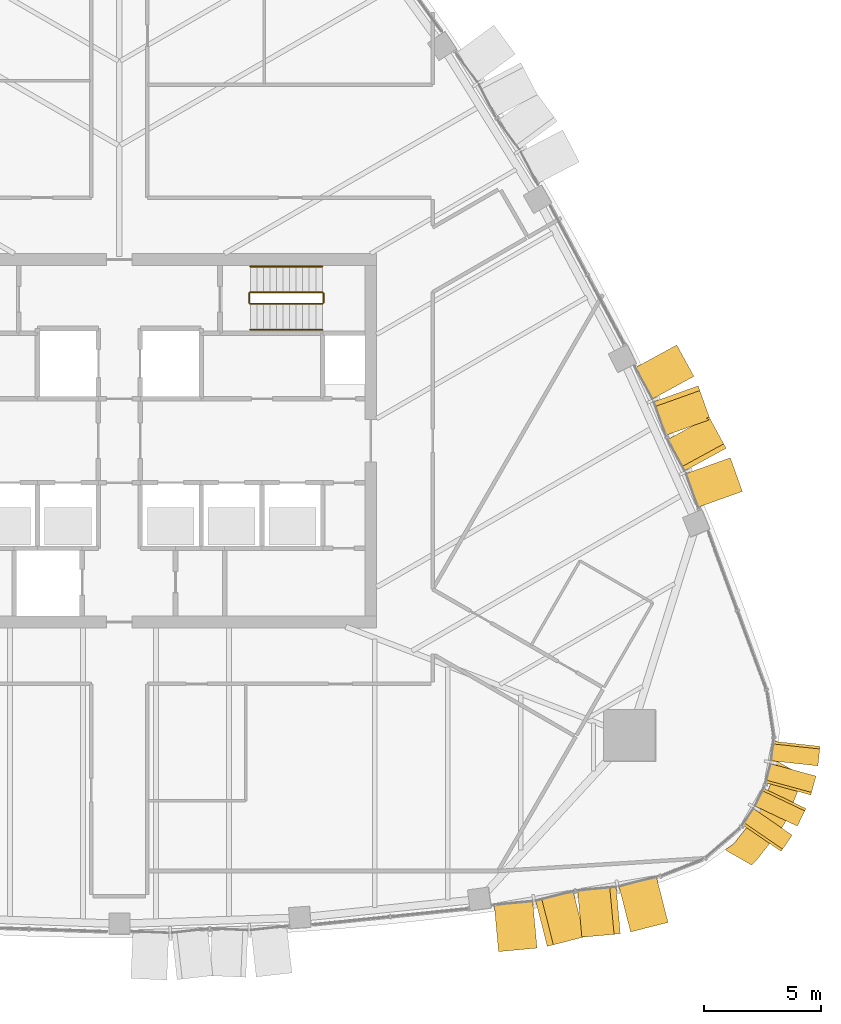
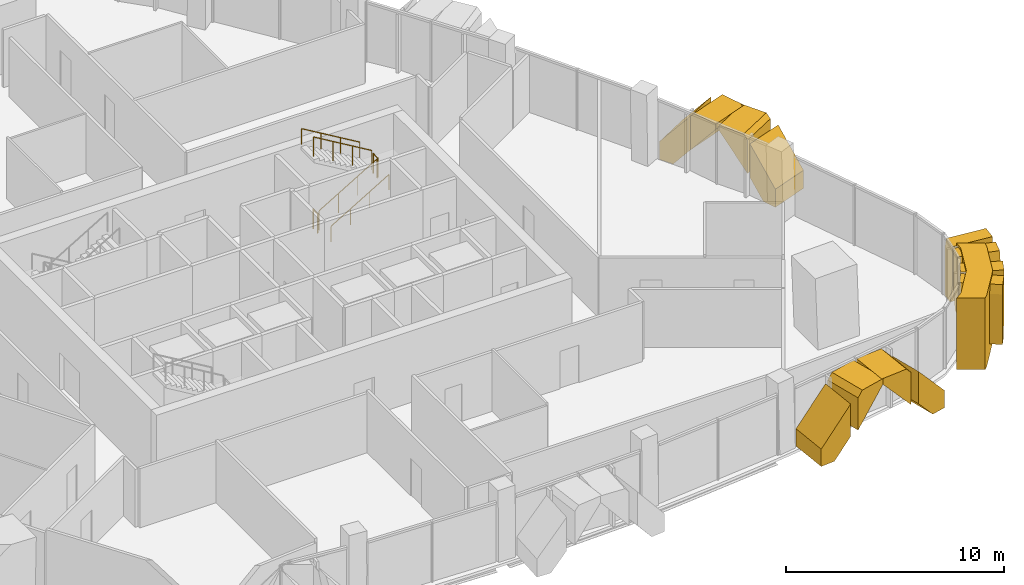
# One storey, part 16 of 18: 13 coverings, 6 railings.
"""IFC4 building model written with IfcOpenShell, lengths in metres."""

from ifc_helpers import new_model, si_unit, direction, frame, origin, origin_2d, place, context, subcontext, project, spatial, polyline, circle, outline, extrude, material, layer, layer_set, type_object, element, save


model = new_model("IFC4")

# Units and contexts
model_context = context("Model", 3, precision=1e-05, world=origin(), true_north=direction((0.0, 1.0)))
body_context = subcontext(model_context, "Body", "Model", "MODEL_VIEW")
ifc_project = project(units=[si_unit("LENGTHUNIT", "METRE"), si_unit("AREAUNIT", "SQUARE_METRE"), si_unit("VOLUMEUNIT", "CUBIC_METRE"), si_unit("PLANEANGLEUNIT", "RADIAN"), si_unit("MASSUNIT", "GRAM", prefix="KILO")], contexts=[model_context])

# Site, building, storey
site_placement = place(None, origin())
site = spatial("IfcSite", under=ifc_project, at=site_placement, CompositionType="ELEMENT")
building_placement = place(site_placement, origin())
building = spatial("IfcBuilding", under=site, at=building_placement, Name="Sierra Prisma Convention Tower", CompositionType="ELEMENT")
storey_placement = place(building_placement, frame((0.0, 0.0, 247.0)))
storey = spatial("IfcBuildingStorey", under=building, at=storey_placement, Name="L55", CompositionType="ELEMENT", Elevation=247.0)

# Coverings
ifc_material_1 = material(Name="Aluminium composite bronze anodised", Category="aluminium")
ifc_layer_1 = layer(ifc_material_1, 1.199951171875)
ifc_layer_set_1 = layer_set([ifc_layer_1], Name="Bronze corner pier")
covering_type_1 = type_object("IfcCoveringType", Name="Bronze corner pier", PredefinedType="CLADDING", material=ifc_layer_set_1)
covering_1_placement = place(storey_placement, frame((0.0, 0.0, -0.60009765625)))
element("IfcCovering", 1, at=covering_1_placement, inside=storey, type_object=covering_type_1, Name="Corner pier SE L55.1", PredefinedType="CLADDING", context=body_context, shape_type="SweptSolid", body=[
    extrude(outline(polyline([(29.17138671875, -14.6005859375), (28.501708984375, -16.26171875), (28.333740234375, -16.552490234375), (27.230224609375, -17.962646484375), (27.0361328125, -18.149658203125), (25.90625, -17.497314453125), (26.28515625, -17.22314453125), (27.388671875, -15.81298828125), (28.058349609375, -14.152099609375), (28.106201171875, -13.686767578125), (29.236083984375, -14.339111328125), (29.17138671875, -14.6005859375)])), origin(), (0.0, 0.0, 1.0), 4.0),
])
ifc_material_2 = material(Name="Aluminium 6063-T6 bronze anodised", Category="aluminium")
ifc_layer_2 = layer(ifc_material_2, 2.0)
ifc_layer_set_2 = layer_set([ifc_layer_2], Name="Bronze crystal chevron frame")
covering_type_2 = type_object("IfcCoveringType", Name="Bronze crystal chevron frame", PredefinedType="CLADDING", material=ifc_layer_set_2)
covering_2_placement = place(storey_placement, frame((16.21533203125, -21.849609375, 0.0), z_axis=(0.092162979739, -0.995743934365, -4.8383481e-05), x_axis=(0.99574393553, 0.092162979848, -8.748e-09)))
element("IfcCovering", 2, at=covering_2_placement, inside=storey, type_object=covering_type_2, Name="CW-2 chevron frame S6.1.1", PredefinedType="CLADDING", context=body_context, shape_type="SweptSolid", body=[
    extrude(outline(polyline([(0.0, 0.0), (0.7429203911119021, 0.0), (1.6535172763552863, 1.023925796914123), (1.6535172605564712, 2.829833997925342), (-8.489967567834006e-09, 0.9704589832390965), (0.0, 0.0)])), origin(), (0.0, 0.0, -1.0), 2.0),
])
covering_3_placement = place(storey_placement, frame((18.298828125, -21.621826171875, 2.97607421875), z_axis=(0.246864242924, -0.969050071596, 6.5617187e-05), x_axis=(1.6198537e-05, -6.3586339e-05, -0.999999997847)))
element("IfcCovering", 3, at=covering_3_placement, inside=storey, type_object=covering_type_2, Name="CW-2 chevron frame S6.1.2", PredefinedType="CLADDING", context=body_context, shape_type="SweptSolid", body=[
    extrude(outline(polyline([(0.0, 0.0), (1.805908199237227, 0.0), (-0.05346679806860987, 1.6534747677326036), (-0.3039550787793568, 1.6534747677326036), (-0.3039550876334087, 0.27036902631045484), (0.0, 0.0)])), origin(), (0.0, 0.0, -1.0), 2.0),
])
covering_4_placement = place(storey_placement, frame((19.77880859375, -21.23486328125, 3.280029296875), z_axis=(0.092134242811, -0.995746594905, 5.990602e-06), x_axis=(5.5194e-07, -5.965122e-06, -0.999999999982)))
element("IfcCovering", 4, at=covering_4_placement, inside=storey, type_object=covering_type_2, Name="CW-2 chevron frame S6.2.1", PredefinedType="CLADDING", context=body_context, shape_type="SweptSolid", body=[
    extrude(outline(polyline([(0.0, 0.0), (0.2504882812455053, -2.652147838998145e-23), (2.1098632812230496, 1.6535172860541516), (0.303955078130454, 1.6535172860541516), (-7.37985443245871e-11, 1.3830812052515915), (0.0, 0.0)])), origin(), (0.0, 0.0, -1.0), 2.0),
])
covering_5_placement = place(storey_placement, frame((23.464599609375, -20.598876953125, 0.0), z_axis=(0.246863132638, -0.969050356426, -2.1329623e-05), x_axis=(5.265498e-06, -2.0669479e-05, 0.999999999773)))
element("IfcCovering", 5, at=covering_5_placement, inside=storey, type_object=covering_type_2, Name="CW-2 chevron frame S6.2.2", PredefinedType="CLADDING", context=body_context, shape_type="SweptSolid", body=[
    extrude(outline(polyline([(0.0, 0.0), (0.9704589841542435, 0.0), (2.829833984197118, 1.6534747677086563), (1.023925781482919, 1.6534747677086563), (-1.2631160900255469e-09, 0.7429501255867704), (0.0, 0.0)])), origin(), (0.0, 0.0, -1.0), 2.0),
])
covering_6_placement = place(storey_placement, frame((28.298583984375, -17.56005859375, 0.0), z_axis=(0.824189527012, -0.56631406784, -1.1407807e-05), x_axis=(0.566314067877, 0.824189527065, -1.919e-09)))
element("IfcCovering", 6, at=covering_6_placement, inside=storey, type_object=covering_type_2, Name="CW-2 chevron frame SE3.1.1", PredefinedType="CLADDING", context=body_context, shape_type="SweptSolid", body=[
    extrude(outline(polyline([(0.0, 0.0), (0.5571236025652986, 4.235164736271502e-22), (0.8389042743031857, 1.1694335954826578), (0.8389042702527142, 3.2800292984703234), (0.1134289948570534, 3.280029296499248), (-5.392351204505144e-09, 2.8098144529421685), (0.0, 0.0)])), origin(), (0.0, 0.0, -1.0), 2.0),
])
covering_7_placement = place(storey_placement, frame((28.995361328125, -16.484619140625, 3.280029296875), z_axis=(0.90253511217, -0.430616269195, -2.164616e-06), x_axis=(-1.953642e-06, 9.32119e-07, -0.999999999998)))
element("IfcCovering", 7, at=covering_7_placement, inside=storey, type_object=covering_type_2, Name="CW-2 chevron frame SE3.1.2", PredefinedType="CLADDING", context=body_context, shape_type="SweptSolid", body=[
    extrude(outline(polyline([(0.0, 0.0), (2.1105957031200555, 0.0), (3.280029296942465, 0.28185006657076733), (3.2800292968777267, 0.8391054678633545), (0.4702148437593098, 0.8391054678633545), (5.205789263566692e-11, 0.7257545240549171), (0.0, 0.0)])), origin(), (0.0, 0.0, -1.0), 2.0),
])
covering_8_placement = place(storey_placement, frame((29.571044921875, -15.149169921875, 0.0), z_axis=(0.965039310791, -0.26210518475, -2.7498114e-05), x_axis=(0.262105184849, 0.965039311155, -3.906e-09)))
element("IfcCovering", 8, at=covering_8_placement, inside=storey, type_object=covering_type_2, Name="CW-2 chevron frame SE4.1.1", PredefinedType="CLADDING", context=body_context, shape_type="SweptSolid", body=[
    extrude(outline(polyline([(0.0, 0.0), (0.5573048103064034, 0.0), (0.8391582392440915, 1.1694335972399421), (0.8391582310010556, 3.2800292995669826), (0.1133580057319668, 3.2800292981700228), (-1.0973869328158764e-08, 2.809814452062685), (0.0, 0.0)])), origin(), (0.0, 0.0, -1.0), 2.0),
])
covering_9_placement = place(storey_placement, frame((29.873291015625, -13.90380859375, 3.280029296875), z_axis=(0.994159107507, -0.107924366573, 7.739041e-06), x_axis=(7.693839e-06, -8.35231e-07, -0.99999999997)))
element("IfcCovering", 9, at=covering_9_placement, inside=storey, type_object=covering_type_2, Name="CW-2 chevron frame SE4.1.2", PredefinedType="CLADDING", context=body_context, shape_type="SweptSolid", body=[
    extrude(outline(polyline([(0.0, 0.0), (2.1105957030617954, -2.234680123600289e-22), (3.2800292974809895, 0.2819299807799584), (3.280029296881578, 0.8391312525523242), (0.4702148438407214, 0.8391312525523242), (3.940757084198477e-10, 0.7256796592879229), (0.0, 0.0)])), origin(), (0.0, 0.0, -1.0), 2.0),
])
covering_10_placement = place(storey_placement, frame((26.6416015625, -2.1689453125, 0.0), z_axis=(0.941886465331, 0.3359313716, 1.009798e-06), x_axis=(-0.3359313716, 0.941886465332, -4e-12)))
element("IfcCovering", 10, at=covering_10_placement, inside=storey, type_object=covering_type_2, Name="CW-2 chevron frame NE2.1.1", PredefinedType="CLADDING", context=body_context, shape_type="SweptSolid", body=[
    extrude(outline(polyline([(0.0, 0.0), (0.7187713122258437, 2.6469779601696886e-23), (1.529821644430879, 0.9802246093817855), (1.5298216444231438, 2.862792968755826), (-4.164954797747763e-12, 1.0136718749994833), (0.0, 0.0)])), origin(), (0.0, 0.0, -1.0), 2.0),
])
covering_11_placement = place(storey_placement, frame((25.946533203125, -0.323486328125, 3.019775390625), z_axis=(0.877765263713, 0.479090951201, 4.7926886e-05), x_axis=(4.2068556e-05, 2.2961337e-05, -0.999999998852)))
element("IfcCovering", 11, at=covering_11_placement, inside=storey, type_object=covering_type_2, Name="CW-2 chevron frame NE2.1.2", PredefinedType="CLADDING", context=body_context, shape_type="SweptSolid", body=[
    extrude(outline(polyline([(0.0, 0.0), (1.882568357212883, 0.0), (0.03344726498878636, 1.5297705061329907), (-0.26025390654889985, 1.5297705061329907), (-0.26025391154776134, 0.21534320983509475), (0.0, 0.0)])), origin(), (0.0, 0.0, -1.0), 2.0),
])
covering_12_placement = place(storey_placement, frame((25.264404296875, 0.90576171875, 3.280029296875), z_axis=(0.9418841477, 0.335937867711, 3.6739514e-05), x_axis=(3.4604366e-05, 1.2342194e-05, -0.999999999325)))
element("IfcCovering", 12, at=covering_12_placement, inside=storey, type_object=covering_type_2, Name="CW-2 chevron frame NE2.2.1", PredefinedType="CLADDING", context=body_context, shape_type="SweptSolid", body=[
    extrude(outline(polyline([(0.0, 0.0), (0.2937011716767823, 0.0), (2.142822264530107, 1.529821644405346), (0.26025390642564433, 1.529821644405346), (-2.937510946127668e-09, 1.314454618971688), (0.0, 0.0)])), origin(), (0.0, 0.0, -1.0), 2.0),
])
covering_13_placement = place(storey_placement, frame((23.83642578125, 4.093994140625, 0.0), z_axis=(0.877737472258, 0.479141866328, -4.1536433e-05), x_axis=(3.6458084e-05, 1.9901844e-05, 0.999999999137)))
element("IfcCovering", 13, at=covering_13_placement, inside=storey, type_object=covering_type_2, Name="CW-2 chevron frame NE2.2.2", PredefinedType="CLADDING", context=body_context, shape_type="SweptSolid", body=[
    extrude(outline(polyline([(0.0, 0.0), (1.0136718741255686, 0.0), (2.8627929679716044, 1.5295562129076419), (0.9802246102205787, 1.5295562129076419), (-4.9968117195641544e-09, 0.7186678863225889), (0.0, 0.0)])), origin(), (0.0, 0.0, -1.0), 2.0),
])

# Railings
ifc_material_3 = material(Name="Stainless steel", Category="steel")
railing_type_1 = type_object("IfcRailingType", Name="Exit stair handrail", PredefinedType="HANDRAIL", material=ifc_material_3)
railing_1_placement = place(storey_placement, frame((5.60009765625, 4.75, 0.166748046875)))
element("IfcRailing", 14, at=railing_1_placement, inside=storey, type_object=railing_type_1, Name="L55 S4 stair handrail 1", PredefinedType="HANDRAIL", context=body_context, shape_type="SweptSolid", body=[
    extrude(circle(Radius=0.02392578125, at=origin_2d()), frame((0.0, 0.0, 0.8759765625), z_axis=(0.859290745958, 0.0, 0.51148745235), x_axis=(0.0, 1.0, 0.0)), (0.0, 0.0, 1.0), 3.584228515625),
    extrude(circle(Radius=0.02099609375, at=origin_2d()), origin(), (0.0, 0.0, 1.0), 0.851806640625),
    extrude(circle(Radius=0.02099609375, at=origin_2d()), frame((1.026611328125, 0.0, 0.611083984375)), (0.0, 0.0, 1.0), 0.851806640625),
    extrude(circle(Radius=0.02099609375, at=origin_2d()), frame((2.05322265625, 0.0, 1.22216796875)), (0.0, 0.0, 1.0), 0.851806640625),
    extrude(circle(Radius=0.02099609375, at=origin_2d()), frame((3.079833984375, 0.0, 1.833251953125)), (0.0, 0.0, 1.0), 0.851806640625),
])
railing_2_placement = place(storey_placement, frame((8.679931640625, 7.449951171875, 2.166748046875)))
element("IfcRailing", 15, at=railing_2_placement, inside=storey, type_object=railing_type_1, Name="L55 S4 stair handrail 2", PredefinedType="HANDRAIL", context=body_context, shape_type="SweptSolid", body=[
    extrude(circle(Radius=0.02392578125, at=origin_2d()), frame((0.0, 0.0, 0.8759765625), z_axis=(-0.859290745958, 0.0, 0.51148745235), x_axis=(0.0, -1.0, 0.0)), (0.0, 0.0, 1.0), 3.584228515625),
    extrude(circle(Radius=0.02099609375, at=origin_2d()), origin(), (0.0, 0.0, 1.0), 0.851806640625),
    extrude(circle(Radius=0.02099609375, at=origin_2d()), frame((-1.026611328125, 0.0, 0.611083984375)), (0.0, 0.0, 1.0), 0.851806640625),
    extrude(circle(Radius=0.02099609375, at=origin_2d()), frame((-2.05322265625, 0.0, 1.22216796875)), (0.0, 0.0, 1.0), 0.851806640625),
    extrude(circle(Radius=0.02099609375, at=origin_2d()), frame((-3.079833984375, 0.0, 1.833251953125)), (0.0, 0.0, 1.0), 0.851806640625),
])
ifc_material_4 = material(Name="Stainless steel", Category="steel")
railing_type_2 = type_object("IfcRailingType", Name="Stair guard 1100", PredefinedType="GUARDRAIL", material=ifc_material_4)
railing_3_placement = place(storey_placement, frame((5.60009765625, 5.85009765625, 0.166748046875)))
element("IfcRailing", 16, at=railing_3_placement, inside=storey, type_object=railing_type_2, Name="L55 S4 stair guard 1", PredefinedType="GUARDRAIL", context=body_context, shape_type="SweptSolid", body=[
    extrude(circle(Radius=0.02392578125, at=origin_2d()), frame((0.0, 0.0, 1.076171875), z_axis=(0.859290745958, 0.0, 0.51148745235), x_axis=(0.0, 1.0, 0.0)), (0.0, 0.0, 1.0), 3.584228515625),
    extrude(circle(Radius=0.02099609375, at=origin_2d()), origin(), (0.0, 0.0, 1.0), 1.052001953125),
    extrude(circle(Radius=0.02099609375, at=origin_2d()), frame((1.026611328125, 0.0, 0.611083984375)), (0.0, 0.0, 1.0), 1.052001953125),
    extrude(circle(Radius=0.02099609375, at=origin_2d()), frame((2.05322265625, 0.0, 1.22216796875)), (0.0, 0.0, 1.0), 1.052001953125),
    extrude(circle(Radius=0.02099609375, at=origin_2d()), frame((3.079833984375, 0.0, 1.833251953125)), (0.0, 0.0, 1.0), 1.052001953125),
])
railing_4_placement = place(storey_placement, frame((8.72998046875, 5.89990234375, 2.0)))
element("IfcRailing", 17, at=railing_4_placement, inside=storey, type_object=railing_type_2, Name="L55 S4 stair guard 2", PredefinedType="GUARDRAIL", context=body_context, shape_type="SweptSolid", body=[
    extrude(circle(Radius=0.02392578125, at=origin_2d()), frame((0.0, 0.0, 1.076171875), z_axis=(0.0, 1.0, 0.0), x_axis=(-1.0, 0.0, 0.0)), (0.0, 0.0, 1.0), 0.400146484375),
    extrude(circle(Radius=0.02099609375, at=origin_2d()), origin(), (0.0, 0.0, 1.0), 1.052001953125),
    extrude(circle(Radius=0.02099609375, at=origin_2d()), frame((0.0, 0.400146484375, 0.0)), (0.0, 0.0, 1.0), 1.052001953125),
])
railing_5_placement = place(storey_placement, frame((8.679931640625, 6.35009765625, 2.166748046875)))
element("IfcRailing", 18, at=railing_5_placement, inside=storey, type_object=railing_type_2, Name="L55 S4 stair guard 3", PredefinedType="GUARDRAIL", context=body_context, shape_type="SweptSolid", body=[
    extrude(circle(Radius=0.02392578125, at=origin_2d()), frame((0.0, 0.0, 1.076171875), z_axis=(-0.859290745958, 0.0, 0.51148745235), x_axis=(0.0, -1.0, 0.0)), (0.0, 0.0, 1.0), 3.584228515625),
    extrude(circle(Radius=0.02099609375, at=origin_2d()), origin(), (0.0, 0.0, 1.0), 1.052001953125),
    extrude(circle(Radius=0.02099609375, at=origin_2d()), frame((-1.026611328125, 0.0, 0.611083984375)), (0.0, 0.0, 1.0), 1.052001953125),
    extrude(circle(Radius=0.02099609375, at=origin_2d()), frame((-2.05322265625, 0.0, 1.22216796875)), (0.0, 0.0, 1.0), 1.052001953125),
    extrude(circle(Radius=0.02099609375, at=origin_2d()), frame((-3.079833984375, 0.0, 1.833251953125)), (0.0, 0.0, 1.0), 1.052001953125),
])
railing_6_placement = place(storey_placement, frame((5.550048828125, 5.89990234375, 0.0)))
element("IfcRailing", 19, at=railing_6_placement, inside=storey, type_object=railing_type_2, Name="L55 S4 stair guard 4", PredefinedType="GUARDRAIL", context=body_context, shape_type="SweptSolid", body=[
    extrude(circle(Radius=0.02392578125, at=origin_2d()), frame((0.0, 0.0, 1.076171875), z_axis=(0.0, 1.0, 0.0), x_axis=(-1.0, 0.0, 0.0)), (0.0, 0.0, 1.0), 0.400146484375),
    extrude(circle(Radius=0.02099609375, at=origin_2d()), origin(), (0.0, 0.0, 1.0), 1.052001953125),
    extrude(circle(Radius=0.02099609375, at=origin_2d()), frame((0.0, 0.400146484375, 0.0)), (0.0, 0.0, 1.0), 1.052001953125),
])

save(model, "model.ifc")
